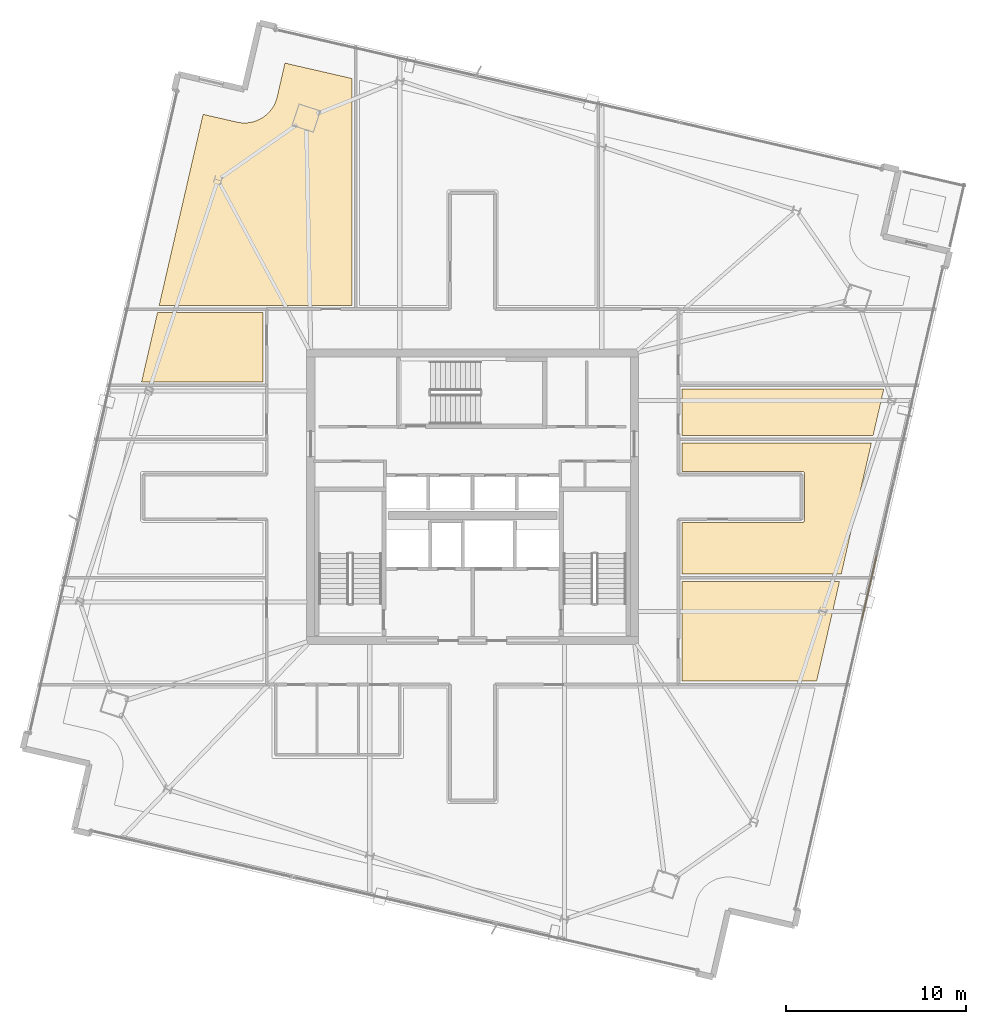
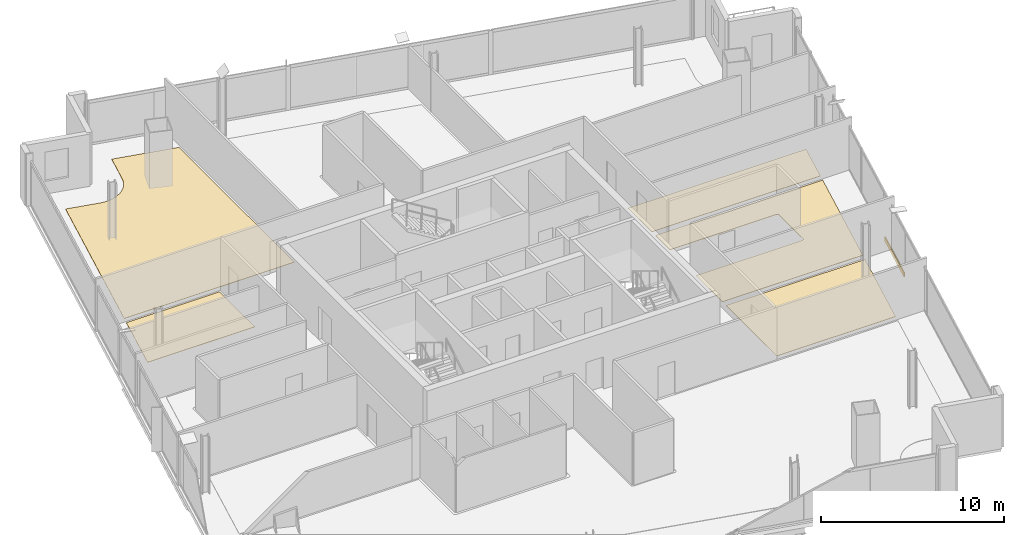
# One storey, part 26 of 28: 6 coverings.
"""IFC4 building model written with IfcOpenShell, lengths in metres."""

from ifc_helpers import new_model, si_unit, direction, frame, origin, origin_2d, place, context, subcontext, project, spatial, polyline, rectangle, outline, extrude, source, transform, mapped, material, layer, layer_set, type_object, element, save


model = new_model("IFC4")

# Units and contexts
model_context = context("Model", 3, precision=1e-05, world=origin(), true_north=direction((0.0, 1.0)))
body_context = subcontext(model_context, "Body", "Model", "MODEL_VIEW")
ifc_project = project(units=[si_unit("LENGTHUNIT", "METRE"), si_unit("AREAUNIT", "SQUARE_METRE"), si_unit("VOLUMEUNIT", "CUBIC_METRE"), si_unit("PLANEANGLEUNIT", "RADIAN"), si_unit("MASSUNIT", "GRAM", prefix="KILO")], contexts=[model_context])

# Site, building, storey
site_placement = place(None, origin())
site = spatial("IfcSite", under=ifc_project, at=site_placement, CompositionType="ELEMENT")
building_placement = place(site_placement, origin())
building = spatial("IfcBuilding", under=site, at=building_placement, Name="Haldenkirk Collegiate Tower", CompositionType="ELEMENT")
storey_placement = place(building_placement, frame((0.0, 0.0, 286.199951171875)))
storey = spatial("IfcBuildingStorey", under=building, at=storey_placement, Name="L72", CompositionType="ELEMENT", Elevation=286.199951171875)

# Coverings
ifc_material_1 = material(Name="Polished collegiate terrazzo", Category="concrete")
ifc_layer_1 = layer(ifc_material_1, 0.02490234375)
ifc_layer_set_1 = layer_set([ifc_layer_1], Name="Polished collegiate terrazzo")
covering_type_1 = type_object("IfcCoveringType", Name="COV-FLOOR-TERRAZZO", PredefinedType="FLOORING", material=ifc_layer_set_1)
covering_1_placement = place(storey_placement, origin())
element("IfcCovering", 1, at=covering_1_placement, inside=storey, type_object=covering_type_1, Name="L72 academic room finish 02", PredefinedType="FLOORING", context=body_context, shape_type="SweptSolid", body=[
    extrude(outline(polyline([(22.888916015625, 46.8486328125), (22.89453125, 46.847412109375), (23.063720703125, 46.817138671875), (23.0751953125, 46.815673828125), (23.24658203125, 46.80224609375), (23.25830078125, 46.8017578125), (23.429931640625, 46.80517578125), (23.441650390625, 46.805908203125), (23.6123046875, 46.826171875), (23.623779296875, 46.828125), (23.79150390625, 46.86474609375), (23.802978515625, 46.867919921875), (23.96630859375, 46.9208984375), (23.977294921875, 46.92529296875), (24.134765625, 46.993896484375), (24.145263671875, 46.999267578125), (24.295166015625, 47.0830078125), (24.30517578125, 47.08935546875), (24.446044921875, 47.1875), (24.455322265625, 47.194580078125), (24.5859375, 47.30615234375), (24.594482421875, 47.314208984375), (24.713623046875, 47.43798828125), (24.72119140625, 47.447021484375), (24.82763671875, 47.581787109375), (24.83447265625, 47.59130859375), (24.927001953125, 47.736083984375), (24.932861328125, 47.74609375), (25.010986328125, 47.899169921875), (25.015625, 47.909912109375), (25.078369140625, 48.06982421875), (25.08203125, 48.0810546875), (25.12890625, 48.246337890625), (25.130126953125, 48.251953125), (25.562744140625, 50.1328125), (29.300048828125, 49.2734375), (29.300048828125, 36.64990234375), (18.56298828125, 36.64990234375), (21.0078125, 47.281005859375), (22.888916015625, 46.8486328125)])), origin(), (0.0, 0.0, 1.0), 0.025146484375),
])
covering_2_placement = place(storey_placement, origin())
element("IfcCovering", 2, at=covering_2_placement, inside=storey, type_object=covering_type_1, Name="L72 academic room finish 08", PredefinedType="FLOORING", context=body_context, shape_type="SweptSolid", body=[
    extrude(outline(polyline([(18.47119140625, 36.25), (24.35009765625, 36.25), (24.35009765625, 32.39990234375), (17.5859375, 32.39990234375), (18.47119140625, 36.25)])), origin(), (0.0, 0.0, 1.0), 0.025146484375),
])
covering_3_placement = place(storey_placement, origin())
element("IfcCovering", 3, at=covering_3_placement, inside=storey, type_object=covering_type_1, Name="L72 academic room finish 10", PredefinedType="FLOORING", context=body_context, shape_type="SweptSolid", body=[
    extrude(outline(polyline([(54.35009765625, 24.580078125), (54.36181640625, 24.58056640625), (54.373291015625, 24.582275390625), (54.384765625, 24.585205078125), (54.39599609375, 24.589111328125), (54.406494140625, 24.59423828125), (54.416748046875, 24.60009765625), (54.426025390625, 24.607177734375), (54.434814453125, 24.614990234375), (54.44287109375, 24.623779296875), (54.44970703125, 24.63330078125), (54.455810546875, 24.643310546875), (54.4609375, 24.654052734375), (54.46484375, 24.665283203125), (54.4677734375, 24.676513671875), (54.469482421875, 24.688232421875), (54.469970703125, 24.699951171875), (54.469970703125, 27.300048828125), (54.469482421875, 27.311767578125), (54.4677734375, 27.323486328125), (54.46484375, 27.334716796875), (54.4609375, 27.345947265625), (54.455810546875, 27.356689453125), (54.44970703125, 27.36669921875), (54.44287109375, 27.376220703125), (54.434814453125, 27.385009765625), (54.426025390625, 27.392822265625), (54.416748046875, 27.39990234375), (54.406494140625, 27.40576171875), (54.39599609375, 27.410888671875), (54.384765625, 27.414794921875), (54.373291015625, 27.417724609375), (54.36181640625, 27.41943359375), (54.35009765625, 27.419921875), (47.64990234375, 27.419921875), (47.64990234375, 29.0), (58.191650390625, 29.0), (56.51318359375, 21.699951171875), (47.64990234375, 21.699951171875), (47.64990234375, 24.580078125), (54.35009765625, 24.580078125)])), origin(), (0.0, 0.0, 1.0), 0.025146484375),
])
ifc_material_2 = material(Name="Engineered collegiate oak acoustic flooring", Category="wood")
ifc_layer_2 = layer(ifc_material_2, 0.02197265625)
ifc_layer_set_2 = layer_set([ifc_layer_2], Name="Engineered collegiate oak acoustic flooring")
covering_type_2 = type_object("IfcCoveringType", Name="COV-FLOOR-TIMBER", PredefinedType="FLOORING", material=ifc_layer_set_2)
covering_4_placement = place(storey_placement, origin())
element("IfcCovering", 4, at=covering_4_placement, inside=storey, type_object=covering_type_2, Name="L72 academic room finish 09", PredefinedType="FLOORING", context=body_context, shape_type="SweptSolid", body=[
    extrude(outline(polyline([(55.14501953125, 15.75), (47.64990234375, 15.75), (47.64990234375, 21.300048828125), (56.421142578125, 21.300048828125), (55.14501953125, 15.75)])), origin(), (0.0, 0.0, 1.0), 0.02197265625),
])
covering_5_placement = place(storey_placement, origin())
element("IfcCovering", 5, at=covering_5_placement, inside=storey, type_object=covering_type_2, Name="L72 academic room finish 11", PredefinedType="FLOORING", context=body_context, shape_type="SweptSolid", body=[
    extrude(outline(polyline([(58.28369140625, 29.39990234375), (47.64990234375, 29.39990234375), (47.64990234375, 32.0), (58.881591796875, 32.0), (58.28369140625, 29.39990234375)])), origin(), (0.0, 0.0, 1.0), 0.02197265625),
])
ifc_material_3 = material(Name="Anodised architectural bronze aluminium", Category="aluminium")
ifc_layer_3 = layer(ifc_material_3, 0.06005859375)
ifc_layer_set_3 = layer_set([ifc_layer_3], Name="Anodised architectural bronze aluminium")
covering_type_3 = type_object("IfcCoveringType", Name="COV-CLAD-BRONZE-60", PredefinedType="CLADDING", material=ifc_layer_set_3)
shared_shape = source(origin(), body_context, "Body", "SweptSolid", [
    extrude(rectangle(XDim=3.60009765625, YDim=0.06005859375, at=origin_2d()), origin(), (0.0, 0.0, 1.0), 0.300048828125),
])
covering_6_placement = place(storey_placement, frame((58.069091796875, 20.92529296875, -0.2998046875), z_axis=(0.0, 0.0, 1.0), x_axis=(-0.224100670509, -0.974566000575, 0.0)))
element("IfcCovering", 6, at=covering_6_placement, inside=storey, type_object=covering_type_3, Name="L72 architectural bronze spandrel cladding S", PredefinedType="CLADDING", context=body_context, shape_type="MappedRepresentation", body=[
    mapped(shared_shape, transform((0.0, 0.0, 0.0), x_axis=(1.0, 0.0, 0.0), y_axis=(0.0, 1.0, 0.0), z_axis=(0.0, 0.0, 1.0), scale=1.0)),
])

save(model, "model.ifc")
